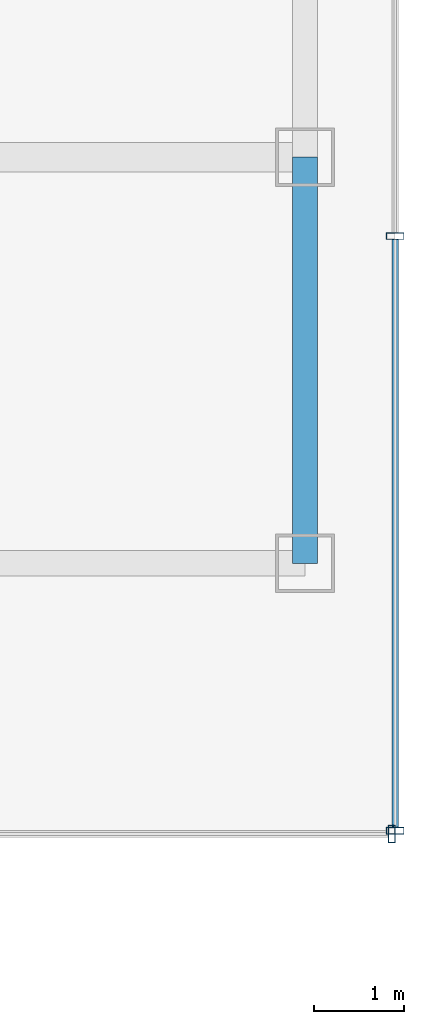
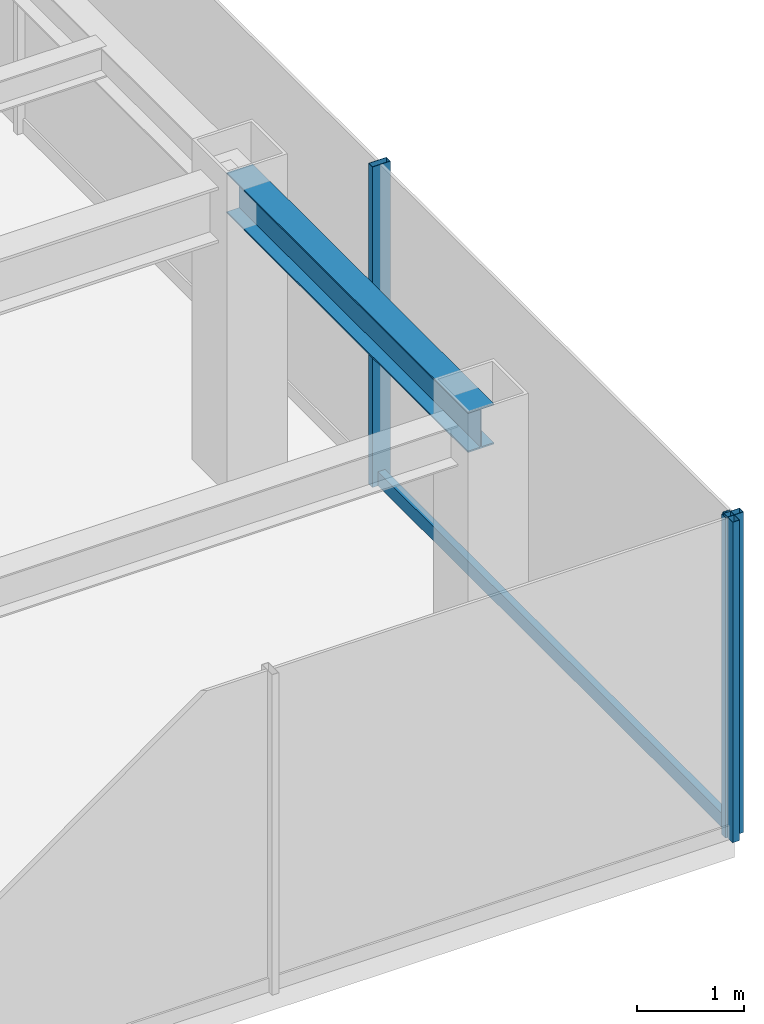
# One storey, part 11 of 25: 4 members, 1 beam, 2 elements without a shape of their own.
"""IFC4 building model written with IfcOpenShell, lengths in metres."""

from ifc_helpers import new_model, si_unit, derived_unit, direction, frame, origin, origin_2d, place, context, subcontext, project, spatial, hollow_rectangle, i_section, extrude, source, transform, mapped, material, material_profile, profile_set, type_object, element, aggregate, save


model = new_model("IFC4")

# Units and contexts
model_context = context("Model", 3, precision=1e-05, world=origin(), true_north=direction((0.0, 1.0)))
body_context = subcontext(model_context, "Body", "Model", "MODEL_VIEW")
ifc_project = project(units=[si_unit("LENGTHUNIT", "METRE"), si_unit("AREAUNIT", "SQUARE_METRE"), si_unit("VOLUMEUNIT", "CUBIC_METRE"), si_unit("PLANEANGLEUNIT", "RADIAN"), si_unit("MASSUNIT", "GRAM", prefix="KILO"), derived_unit("THERMALTRANSMITTANCEUNIT", [(si_unit("POWERUNIT", "WATT"), 1), (si_unit("LENGTHUNIT", "METRE"), -2), (si_unit("THERMODYNAMICTEMPERATUREUNIT", "KELVIN"), -1)])], contexts=[model_context])

# Site, building, storey
site_placement = place(None, origin())
site = spatial("IfcSite", under=ifc_project, at=site_placement, CompositionType="ELEMENT")
building_placement = place(site_placement, origin())
building = spatial("IfcBuilding", under=site, at=building_placement, Name="Skarnbrae Concourse Arena and Tower", CompositionType="ELEMENT")
storey_placement = place(building_placement, frame((0.0, 0.0, 173.449951171875)))
storey = spatial("IfcBuildingStorey", under=building, at=storey_placement, Name="L44", CompositionType="ELEMENT", Elevation=173.449951171875)

# Beam
ifc_material_1 = material(Name="Steel CSA G40.21 350W", Category="steel")
ifc_material_profile_1 = material_profile(ifc_material_1, i_section(OverallWidth=0.280029296875, OverallDepth=0.462890625, WebThickness=0.0107421875, FlangeThickness=0.017333984375, at=origin_2d()), Name="W460X113")
ifc_profile_set_1 = profile_set([ifc_material_profile_1], Name="Steel CSA G40.21 350W")
beam_type = type_object("IfcBeamType", Name="BM-SPAN-W460X113", PredefinedType="SPANDREL", material=ifc_profile_set_1)
shared_shape_1 = source(origin(), body_context, "Body", "SweptSolid", [
    extrude(i_section(OverallWidth=0.280029296875, OverallDepth=0.462890625, WebThickness=0.0107421875, FlangeThickness=0.017333984375, at=origin_2d()), origin(), (0.0, 0.0, 1.0), 4.5),
])
beam_placement = place(storey_placement, frame((49.0, 9.5, 3.16845703125), z_axis=(0.0, 1.0, 0.0), x_axis=(-1.0, 0.0, 0.0)))
element("IfcBeam", 1, at=beam_placement, inside=storey, type_object=beam_type, Name="L44 Perimeter spandrel X49.0-1", PredefinedType="SPANDREL", context=body_context, shape_type="MappedRepresentation", body=[
    mapped(shared_shape_1, transform((0.0, 0.0, 0.0))),
])

# Curtain wall, member
ifc_material_2 = material(Name="Bronze anodised aluminium 6063-T6", Category="aluminium")
curtain_wall_type = type_object("IfcCurtainWallType", Name="CW-SYS-04-MIDZONE", PredefinedType="USERDEFINED", material=ifc_material_2)
curtain_wall_1_placement = place(storey_placement, origin())
curtain_wall_1 = element("IfcCurtainWall", 2, at=curtain_wall_1_placement, inside=storey, type_object=curtain_wall_type, Name="L44 Unitised curtain wall CW-L44-E03", ObjectType="UNITISED CURTAIN WALL", PredefinedType="USERDEFINED")
ifc_material_profile_2 = material_profile(ifc_material_2, hollow_rectangle(XDim=0.074951171875, YDim=0.195068359375, WallThickness=0.00439453125, at=origin_2d()), Name="ALU-MULL-75X195")
ifc_profile_set_2 = profile_set([ifc_material_profile_2], Name="Bronze anodised aluminium 6063-T6")
member_type_1 = type_object("IfcMemberType", Name="CWM-CW-04", PredefinedType="MULLION", material=ifc_profile_set_2)
shared_shape_2 = source(origin(), body_context, "Body", "SweptSolid", [
    extrude(hollow_rectangle(XDim=0.074951171875, YDim=0.195068359375, WallThickness=0.00439453125, at=origin_2d()), origin(), (0.0, 0.0, 1.0), 3.650146484375),
])
member_1_placement = place(storey_placement, frame((49.96240234375, 6.5, 0.0), z_axis=(0.0, 0.0, 1.0), x_axis=(1.0, 0.0, 0.0)))
member_1 = element("IfcMember", 3, at=member_1_placement, type_object=member_type_1, Name="CW-L44-E03 Mullion 3", PredefinedType="MULLION", context=body_context, shape_type="MappedRepresentation", body=[
    mapped(shared_shape_2, transform((0.0, 0.0, 0.0))),
])
aggregate(curtain_wall_1, [member_1])

# Curtain wall, members
curtain_wall_2_placement = place(storey_placement, origin())
curtain_wall_2 = element("IfcCurtainWall", 4, at=curtain_wall_2_placement, inside=storey, type_object=curtain_wall_type, Name="L44 Unitised curtain wall CW-L44-E04", ObjectType="UNITISED CURTAIN WALL", PredefinedType="USERDEFINED")
member_2_placement = place(storey_placement, frame((50.0, 6.53759765625, 0.0), z_axis=(0.0, 0.0, 1.0), x_axis=(0.0, 1.0, 0.0)))
member_2 = element("IfcMember", 5, at=member_2_placement, type_object=member_type_1, Name="CW-L44-E04 Mullion 1", PredefinedType="MULLION", context=body_context, shape_type="MappedRepresentation", body=[
    mapped(shared_shape_2, transform((0.0, 0.0, 0.0))),
])
member_3_placement = place(storey_placement, frame((50.0, 13.125, 0.0), z_axis=(0.0, 0.0, 1.0), x_axis=(0.0, 1.0, 0.0)))
member_3 = element("IfcMember", 6, at=member_3_placement, type_object=member_type_1, Name="CW-L44-E04 Mullion 2", PredefinedType="MULLION", context=body_context, shape_type="MappedRepresentation", body=[
    mapped(shared_shape_2, transform((0.0, 0.0, 0.0))),
])
ifc_material_profile_3 = material_profile(ifc_material_2, hollow_rectangle(XDim=0.074951171875, YDim=0.159912109375, WallThickness=0.00439453125, at=origin_2d()), Name="ALU-TRAN-75X160")
ifc_profile_set_3 = profile_set([ifc_material_profile_3], Name="Bronze anodised aluminium 6063-T6")
member_type_2 = type_object("IfcMemberType", Name="CWT-CW-04", PredefinedType="USERDEFINED", material=ifc_profile_set_3)
shared_shape_3 = source(origin(), body_context, "Body", "SweptSolid", [
    extrude(hollow_rectangle(XDim=0.074951171875, YDim=0.159912109375, WallThickness=0.00439453125, at=origin_2d()), origin(), (0.0, 0.0, 1.0), 6.512451171875),
])
member_4_placement = place(storey_placement, frame((50.0, 6.574951171875, 0.080078125), z_axis=(0.0, 1.0, 0.0), x_axis=(-1.0, 0.0, 0.0)))
member_4 = element("IfcMember", 7, at=member_4_placement, type_object=member_type_2, Name="CW-L44-E04 Transom 1", ObjectType="TRANSOM", PredefinedType="USERDEFINED", context=body_context, shape_type="MappedRepresentation", body=[
    mapped(shared_shape_3, transform((0.0, 0.0, 0.0))),
])
aggregate(curtain_wall_2, [member_2, member_3, member_4])

save(model, "model.ifc")
